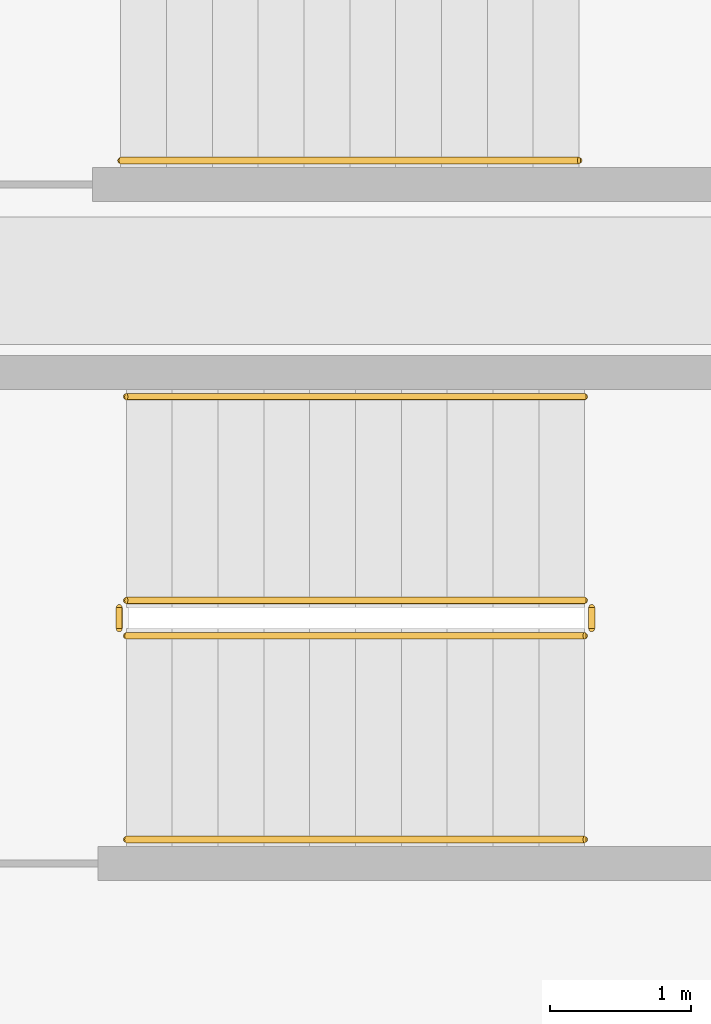
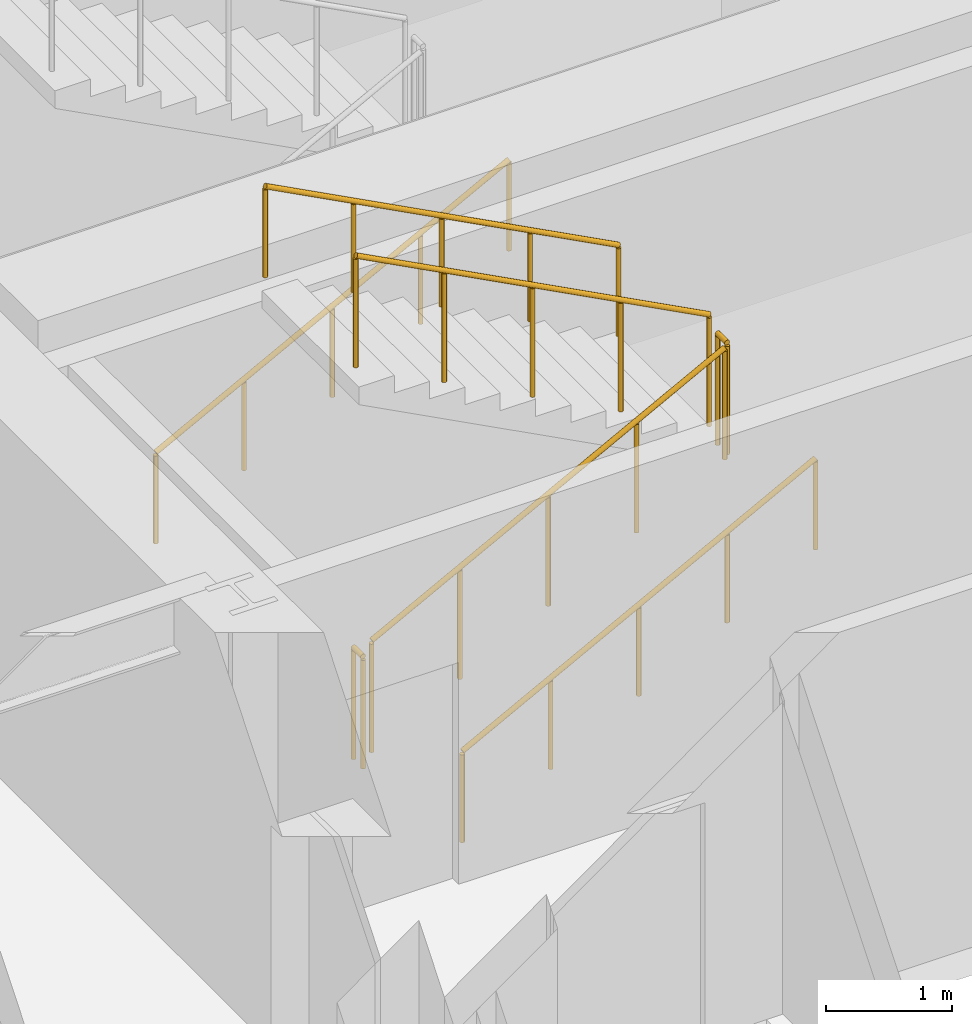
# One storey, part 12 of 15: 7 railings.
"""IFC4 building model written with IfcOpenShell, lengths in metres."""

from ifc_helpers import new_model, si_unit, direction, frame, origin, origin_2d, place, context, subcontext, project, spatial, circle, extrude, material, type_object, element, save


model = new_model("IFC4")

# Units and contexts
model_context = context("Model", 3, precision=1e-05, world=origin(), true_north=direction((0.0, 1.0)))
body_context = subcontext(model_context, "Body", "Model", "MODEL_VIEW")
ifc_project = project(units=[si_unit("LENGTHUNIT", "METRE"), si_unit("AREAUNIT", "SQUARE_METRE"), si_unit("VOLUMEUNIT", "CUBIC_METRE"), si_unit("PLANEANGLEUNIT", "RADIAN"), si_unit("MASSUNIT", "GRAM", prefix="KILO")], contexts=[model_context])

# Site, building, storey
site_placement = place(None, origin())
site = spatial("IfcSite", under=ifc_project, at=site_placement, CompositionType="ELEMENT")
building_placement = place(site_placement, origin())
building = spatial("IfcBuilding", under=site, at=building_placement, Name="Kolvaren Arena Tower", CompositionType="ELEMENT")
storey_placement = place(building_placement, frame((0.0, 0.0, 118.449951171875)))
storey = spatial("IfcBuildingStorey", under=building, at=storey_placement, Name="L27", CompositionType="ELEMENT", Elevation=118.449951171875)

# Railings
ifc_material_1 = material(Name="Painted galvanized steel", Category="steel")
railing_type_1 = type_object("IfcRailingType", Name="GUARD-ST-110", PredefinedType="GUARDRAIL", material=ifc_material_1)
railing_1_placement = place(storey_placement, frame((52.719970703125, 31.639892578125, 0.17041015625)))
element("IfcRailing", 1, at=railing_1_placement, inside=storey, type_object=railing_type_1, Name="L27 ST-E1 stair guard 1", PredefinedType="GUARDRAIL", context=body_context, shape_type="SweptSolid", body=[
    extrude(circle(Radius=0.02392578125, at=origin_2d()), frame((0.0, 0.0, 1.076171875), z_axis=(0.884993431791, 0.0, 0.465603506952), x_axis=(0.0, 1.0, 0.0)), (0.0, 0.0, 1.0), 3.6611328125),
    extrude(circle(Radius=0.02099609375, at=origin_2d()), origin(), (0.0, 0.0, 1.0), 1.052001953125),
    extrude(circle(Radius=0.02099609375, at=origin_2d()), frame((0.81005859375, 0.0, 0.42626953125)), (0.0, 0.0, 1.0), 1.052001953125),
    extrude(circle(Radius=0.02099609375, at=origin_2d()), frame((1.6201171875, 0.0, 0.852294921875)), (0.0, 0.0, 1.0), 1.052001953125),
    extrude(circle(Radius=0.02099609375, at=origin_2d()), frame((2.429931640625, 0.0, 1.2783203125)), (0.0, 0.0, 1.0), 1.052001953125),
    extrude(circle(Radius=0.02099609375, at=origin_2d()), frame((3.239990234375, 0.0, 1.70458984375)), (0.0, 0.0, 1.0), 1.052001953125),
])
railing_2_placement = place(storey_placement, frame((56.010009765625, 31.68994140625, 1.875)))
element("IfcRailing", 2, at=railing_2_placement, inside=storey, type_object=railing_type_1, Name="L27 ST-E1 stair guard 2", PredefinedType="GUARDRAIL", context=body_context, shape_type="SweptSolid", body=[
    extrude(circle(Radius=0.02392578125, at=origin_2d()), frame((0.0, 0.0, 1.076171875), z_axis=(0.0, 1.0, 0.0), x_axis=(-1.0, 0.0, 0.0)), (0.0, 0.0, 1.0), 0.150146484375),
    extrude(circle(Radius=0.02099609375, at=origin_2d()), origin(), (0.0, 0.0, 1.0), 1.052001953125),
    extrude(circle(Radius=0.02099609375, at=origin_2d()), frame((0.0, 0.150146484375, 0.0)), (0.0, 0.0, 1.0), 1.052001953125),
])
railing_3_placement = place(storey_placement, frame((55.9599609375, 31.889892578125, 2.04541015625)))
element("IfcRailing", 3, at=railing_3_placement, inside=storey, type_object=railing_type_1, Name="L27 ST-E1 stair guard 3", PredefinedType="GUARDRAIL", context=body_context, shape_type="SweptSolid", body=[
    extrude(circle(Radius=0.02392578125, at=origin_2d()), frame((0.0, 0.0, 1.076171875), z_axis=(-0.884993431791, 0.0, 0.465603506952), x_axis=(0.0, -1.0, 0.0)), (0.0, 0.0, 1.0), 3.6611328125),
    extrude(circle(Radius=0.02099609375, at=origin_2d()), origin(), (0.0, 0.0, 1.0), 1.052001953125),
    extrude(circle(Radius=0.02099609375, at=origin_2d()), frame((-0.81005859375, 0.0, 0.42626953125)), (0.0, 0.0, 1.0), 1.052001953125),
    extrude(circle(Radius=0.02099609375, at=origin_2d()), frame((-1.6201171875, 0.0, 0.852294921875)), (0.0, 0.0, 1.0), 1.052001953125),
    extrude(circle(Radius=0.02099609375, at=origin_2d()), frame((-2.429931640625, 0.0, 1.2783203125)), (0.0, 0.0, 1.0), 1.052001953125),
    extrude(circle(Radius=0.02099609375, at=origin_2d()), frame((-3.239990234375, 0.0, 1.70458984375)), (0.0, 0.0, 1.0), 1.052001953125),
])
railing_4_placement = place(storey_placement, frame((52.669921875, 31.68994140625, 0.0)))
element("IfcRailing", 4, at=railing_4_placement, inside=storey, type_object=railing_type_1, Name="L27 ST-E1 stair guard 4", PredefinedType="GUARDRAIL", context=body_context, shape_type="SweptSolid", body=[
    extrude(circle(Radius=0.02392578125, at=origin_2d()), frame((0.0, 0.0, 1.076171875), z_axis=(0.0, 1.0, 0.0), x_axis=(-1.0, 0.0, 0.0)), (0.0, 0.0, 1.0), 0.150146484375),
    extrude(circle(Radius=0.02099609375, at=origin_2d()), origin(), (0.0, 0.0, 1.0), 1.052001953125),
    extrude(circle(Radius=0.02099609375, at=origin_2d()), frame((0.0, 0.150146484375, 0.0)), (0.0, 0.0, 1.0), 1.052001953125),
])
ifc_material_2 = material(Name="Brushed stainless steel handrail", Category="steel")
railing_type_2 = type_object("IfcRailingType", Name="HRAIL-900", PredefinedType="HANDRAIL", material=ifc_material_2)
railing_5_placement = place(storey_placement, frame((52.719970703125, 30.199951171875, 0.17041015625)))
element("IfcRailing", 5, at=railing_5_placement, inside=storey, type_object=railing_type_2, Name="L27 ST-E1 stair handrail 1", PredefinedType="HANDRAIL", context=body_context, shape_type="SweptSolid", body=[
    extrude(circle(Radius=0.02392578125, at=origin_2d()), frame((0.0, 0.0, 0.8759765625), z_axis=(0.884993431791, 0.0, 0.465603506952), x_axis=(0.0, 1.0, 0.0)), (0.0, 0.0, 1.0), 3.6611328125),
    extrude(circle(Radius=0.02099609375, at=origin_2d()), origin(), (0.0, 0.0, 1.0), 0.851806640625),
    extrude(circle(Radius=0.02099609375, at=origin_2d()), frame((0.81005859375, 0.0, 0.42626953125)), (0.0, 0.0, 1.0), 0.851806640625),
    extrude(circle(Radius=0.02099609375, at=origin_2d()), frame((1.6201171875, 0.0, 0.852294921875)), (0.0, 0.0, 1.0), 0.851806640625),
    extrude(circle(Radius=0.02099609375, at=origin_2d()), frame((2.429931640625, 0.0, 1.2783203125)), (0.0, 0.0, 1.0), 0.851806640625),
    extrude(circle(Radius=0.02099609375, at=origin_2d()), frame((3.239990234375, 0.0, 1.70458984375)), (0.0, 0.0, 1.0), 0.851806640625),
])
railing_6_placement = place(storey_placement, frame((55.9599609375, 33.330078125, 2.04541015625)))
element("IfcRailing", 6, at=railing_6_placement, inside=storey, type_object=railing_type_2, Name="L27 ST-E1 stair handrail 2", PredefinedType="HANDRAIL", context=body_context, shape_type="SweptSolid", body=[
    extrude(circle(Radius=0.02392578125, at=origin_2d()), frame((0.0, 0.0, 0.8759765625), z_axis=(-0.884993431791, 0.0, 0.465603506952), x_axis=(0.0, -1.0, 0.0)), (0.0, 0.0, 1.0), 3.6611328125),
    extrude(circle(Radius=0.02099609375, at=origin_2d()), origin(), (0.0, 0.0, 1.0), 0.851806640625),
    extrude(circle(Radius=0.02099609375, at=origin_2d()), frame((-0.81005859375, 0.0, 0.42626953125)), (0.0, 0.0, 1.0), 0.851806640625),
    extrude(circle(Radius=0.02099609375, at=origin_2d()), frame((-1.6201171875, 0.0, 0.852294921875)), (0.0, 0.0, 1.0), 0.851806640625),
    extrude(circle(Radius=0.02099609375, at=origin_2d()), frame((-2.429931640625, 0.0, 1.2783203125)), (0.0, 0.0, 1.0), 0.851806640625),
    extrude(circle(Radius=0.02099609375, at=origin_2d()), frame((-3.239990234375, 0.0, 1.70458984375)), (0.0, 0.0, 1.0), 0.851806640625),
])
railing_7_placement = place(storey_placement, frame((52.679931640625, 35.0, 0.17041015625)))
element("IfcRailing", 7, at=railing_7_placement, inside=storey, type_object=railing_type_2, Name="L27 ST-E2 stair handrail 1", PredefinedType="HANDRAIL", context=body_context, shape_type="SweptSolid", body=[
    extrude(circle(Radius=0.02392578125, at=origin_2d()), frame((0.0, 0.0, 0.8759765625), z_axis=(0.884993431791, 0.0, 0.465603506952), x_axis=(0.0, 1.0, 0.0)), (0.0, 0.0, 1.0), 3.6611328125),
    extrude(circle(Radius=0.02099609375, at=origin_2d()), origin(), (0.0, 0.0, 1.0), 0.851806640625),
    extrude(circle(Radius=0.02099609375, at=origin_2d()), frame((0.81005859375, 0.0, 0.42626953125)), (0.0, 0.0, 1.0), 0.851806640625),
    extrude(circle(Radius=0.02099609375, at=origin_2d()), frame((1.6201171875, 0.0, 0.852294921875)), (0.0, 0.0, 1.0), 0.851806640625),
    extrude(circle(Radius=0.02099609375, at=origin_2d()), frame((2.429931640625, 0.0, 1.2783203125)), (0.0, 0.0, 1.0), 0.851806640625),
    extrude(circle(Radius=0.02099609375, at=origin_2d()), frame((3.239990234375, 0.0, 1.70458984375)), (0.0, 0.0, 1.0), 0.851806640625),
])

save(model, "model.ifc")
